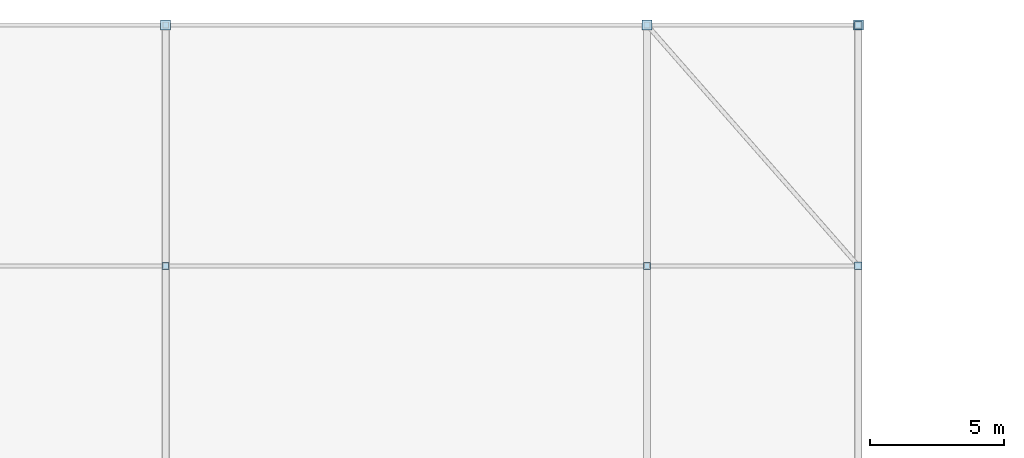
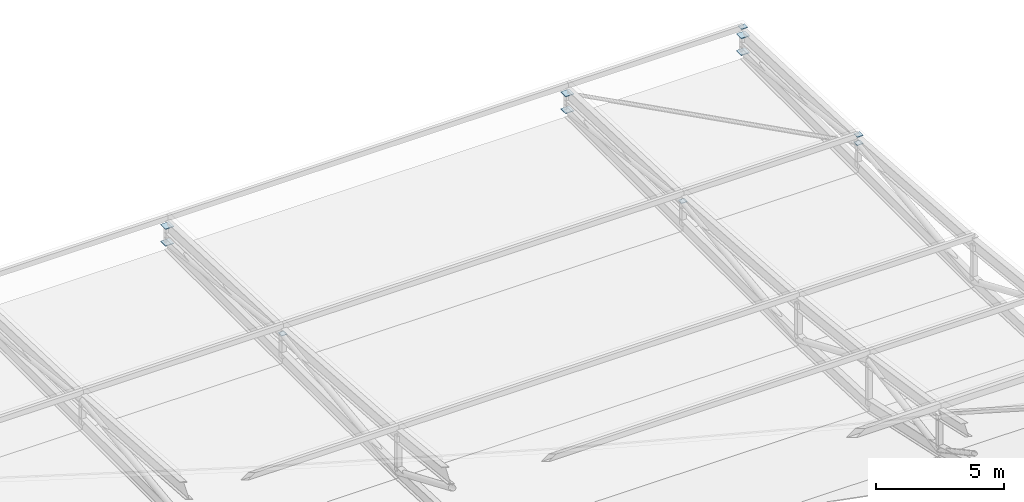
# One storey, part 102 of 114: 11 plates.
"""IFC4 building model written with IfcOpenShell, lengths in metres."""

from ifc_helpers import new_model, si_unit, direction, frame, origin, origin_2d, place, context, subcontext, project, spatial, rectangle, extrude, material, layer, layer_set, type_object, element, save


model = new_model("IFC4")

# Units and contexts
model_context = context("Model", 3, precision=1e-05, world=origin(), true_north=direction((0.0, 1.0)))
body_context = subcontext(model_context, "Body", "Model", "MODEL_VIEW")
ifc_project = project(units=[si_unit("LENGTHUNIT", "METRE"), si_unit("AREAUNIT", "SQUARE_METRE"), si_unit("VOLUMEUNIT", "CUBIC_METRE"), si_unit("PLANEANGLEUNIT", "RADIAN"), si_unit("MASSUNIT", "GRAM", prefix="KILO"), si_unit("THERMODYNAMICTEMPERATUREUNIT", "KELVIN"), si_unit("POWERUNIT", "WATT")], contexts=[model_context])

# Site, building, storey
site_placement = place(None, origin())
site = spatial("IfcSite", under=ifc_project, at=site_placement, CompositionType="ELEMENT")
building_placement = place(site_placement, origin())
building = spatial("IfcBuilding", under=site, at=building_placement, Name="Sindhuravela Promenade Stadium", CompositionType="ELEMENT")
storey_placement = place(building_placement, frame((0.0, 0.0, 24.0)))
storey = spatial("IfcBuildingStorey", under=building, at=storey_placement, Name="L05", CompositionType="ELEMENT", Elevation=24.0)

# Plates
ifc_material = material(Name="Steel E350 (IS 2062 E350BR)", Category="steel")
ifc_layer_1 = layer(ifc_material, 0.02392578125)
ifc_layer_set_1 = layer_set([ifc_layer_1], Name="Steel E350 (IS 2062 E350BR)")
plate_type_1 = type_object("IfcPlateType", Name="ST-PL-CAP24", PredefinedType="USERDEFINED", material=ifc_layer_set_1)
for number, where, z_axis, x_axis, name in (
    (1, (160.89990234375, 153.0, 1.179931640625), (0.0, 0.0, 1.0), (1.0, 0.0, 0.0), "Purlin end cap plate CP01 N-47"),
    (2, (160.89990234375, 144.0, 1.507080078125), (0.0, 0.0, 1.0), (1.0, 0.0, 0.0), "Purlin end cap plate CP01 N-48"),
    (3, (160.89990234375, 144.0, 1.115234375), (0.0, 0.0, 1.0), (1.0, 0.0, 0.0), "Brace end cap plate CP01 N-53"),
):
    element("IfcPlate", number, at=place(storey_placement, frame(where, z_axis=z_axis, x_axis=x_axis)), inside=storey, type_object=plate_type_1, Name=name, ObjectType="GUSSET PLATE", PredefinedType="USERDEFINED", context=body_context, shape_type="SweptSolid", body=[
        extrude(rectangle(XDim=0.280029296875, YDim=0.280029296875, at=origin_2d()), origin(), (0.0, 0.0, 1.0), 0.02392578125),
    ])
for number, where, z_axis, x_axis, name in (
    (4, (135.0, 144.0, 1.115234375), (0.0, 0.0, 1.0), (1.0, 0.0, 0.0), "Brace end gusset plate CP01 BR-0182B"),
    (5, (153.0, 144.0, 1.115234375), (0.0, 0.0, 1.0), (1.0, 0.0, 0.0), "Brace end gusset plate CP01 BR-0186B"),
):
    element("IfcPlate", number, at=place(storey_placement, frame(where, z_axis=z_axis, x_axis=x_axis)), inside=storey, type_object=plate_type_1, Name=name, ObjectType="GUSSET PLATE", PredefinedType="USERDEFINED", context=body_context, shape_type="SweptSolid", body=[
        extrude(rectangle(XDim=0.260009765625, YDim=0.260009765625, at=origin_2d()), origin(), (0.0, 0.0, 1.0), 0.02392578125),
    ])
ifc_layer_2 = layer(ifc_material, 0.033935546875)
ifc_layer_set_2 = layer_set([ifc_layer_2], Name="Steel E350 (IS 2062 E350BR)")
plate_type_2 = type_object("IfcPlateType", Name="ST-PL-CAP34", PredefinedType="USERDEFINED", material=ifc_layer_set_2)
for number, where, z_axis, x_axis, name in (
    (6, (135.0, 153.0, 0.783203125), (0.0, 0.0, 1.0), (1.0, 0.0, 0.0), "Truss end gusset cap plate CP02 N07-1T"),
    (7, (135.0, 153.0, -0.01708984375), (0.0, 0.0, 1.0), (1.0, 0.0, 0.0), "Truss end gusset cap plate CP02 N07-1B"),
    (8, (153.0, 153.0, 0.783203125), (0.0, 0.0, 1.0), (1.0, 0.0, 0.0), "Truss end gusset cap plate CP02 N08-1T"),
    (9, (153.0, 153.0, -0.01708984375), (0.0, 0.0, 1.0), (1.0, 0.0, 0.0), "Truss end gusset cap plate CP02 N08-1B"),
    (10, (160.89990234375, 153.0, 0.783203125), (0.0, 0.0, 1.0), (1.0, 0.0, 0.0), "Truss end gusset cap plate CP02 N09-1T"),
    (11, (160.89990234375, 153.0, -0.01708984375), (0.0, 0.0, 1.0), (1.0, 0.0, 0.0), "Truss end gusset cap plate CP02 N09-1B"),
):
    element("IfcPlate", number, at=place(storey_placement, frame(where, z_axis=z_axis, x_axis=x_axis)), inside=storey, type_object=plate_type_2, Name=name, ObjectType="GUSSET PLATE", PredefinedType="USERDEFINED", context=body_context, shape_type="SweptSolid", body=[
        extrude(rectangle(XDim=0.3798828125, YDim=0.3798828125, at=origin_2d()), origin(), (0.0, 0.0, 1.0), 0.033935546875),
    ])

save(model, "model.ifc")
